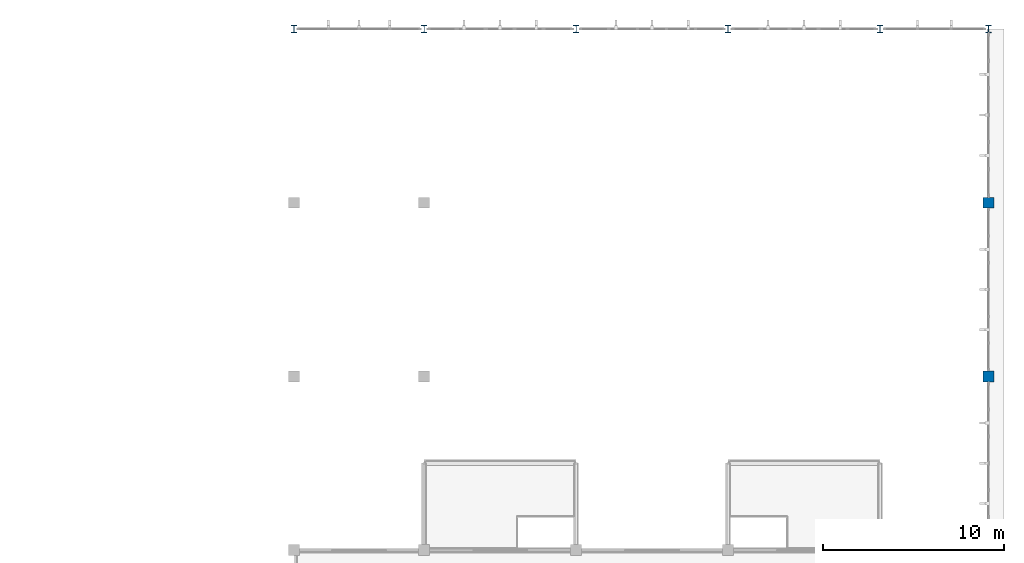
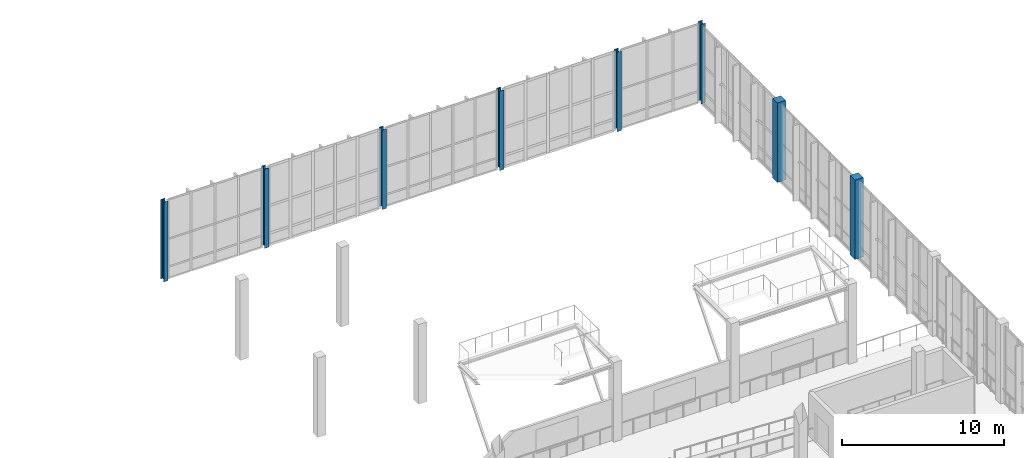
# One storey, part 9 of 105: 8 columns.
"""IFC4 building model written with IfcOpenShell, lengths in metres."""

import ifcopenshell
import ifcopenshell.guid

model = None  # the IFC model being written
_history = None  # IfcOwnerHistory: only IFC2X3 demands one
_inside = {}  # id of a spatial element -> (the spatial element, [elements in it])
_under = {}  # id of a project, library or spatial element -> (it, [spatial elements below it])
_declared = {}  # id of a project -> (the project, [libraries it declares])
_typed = {}  # id of a type object -> (the type object, [elements of that type])
_made_of = {}  # id of a material, layer set ... -> (it, [elements and type objects made of it])


def new_model(schema):
    """Start an empty IFC model of exactly this schema.

    Asked for "IFC4X3", IfcOpenShell would pick the latest addendum, in which some entities
    have other attributes; the version numbers below select the first issue.
    IFC2X3 requires an IfcOwnerHistory on every rooted entity: one is made here for all.
    """
    global model, _history
    if schema == "IFC4X3":
        model = ifcopenshell.file(schema_version=(4, 3, 0, 0))
    else:
        model = ifcopenshell.file(schema=schema)
    _inside.clear()
    _under.clear()
    _declared.clear()
    _typed.clear()
    _made_of.clear()
    _history = None
    if model.schema == "IFC2X3":
        org = make("IfcOrganization", Name="unknown")
        user = make(
            "IfcPersonAndOrganization",
            ThePerson=make("IfcPerson", FamilyName="unknown"),
            TheOrganization=org,
        )
        app = make(
            "IfcApplication",
            ApplicationDeveloper=org,
            Version="unknown",
            ApplicationFullName="unknown",
            ApplicationIdentifier="unknown",
        )
        _history = make(
            "IfcOwnerHistory",
            OwningUser=user,
            OwningApplication=app,
            ChangeAction="ADDED",
            CreationDate=0,
        )
    return model


def make(cls, **values):
    """One entity of the class cls with the attributes given. An attribute that is None is left unset."""
    return model.create_entity(
        cls, **{name: value for name, value in values.items() if value is not None}
    )


def rooted(cls, **values):
    """An entity with a GlobalId (a new one), such as an element, a storey or a relation."""
    return make(cls, GlobalId=ifcopenshell.guid.new(), OwnerHistory=_history, **values)


def si_unit(unit_type, name, prefix=None):
    """IfcSIUnit, for example si_unit("LENGTHUNIT", "METRE", prefix="MILLI")."""
    return make("IfcSIUnit", UnitType=unit_type, Prefix=prefix, Name=name)


def assignment(units):
    """IfcUnitAssignment: the units of a project."""
    return None if units is None else make("IfcUnitAssignment", Units=units)


def point(xyz):
    """IfcCartesianPoint."""
    return None if xyz is None else make("IfcCartesianPoint", Coordinates=xyz)


def direction(xyz):
    """IfcDirection."""
    return None if xyz is None else make("IfcDirection", DirectionRatios=xyz)


def frame(location, z_axis=None, x_axis=None):
    """IfcAxis2Placement3D, a coordinate frame: its origin and axes. An axis left out is left unset."""
    return make(
        "IfcAxis2Placement3D",
        Location=point(location),
        Axis=direction(z_axis),
        RefDirection=direction(x_axis),
    )


def frame_2d(location, x_axis=None):
    """IfcAxis2Placement2D, a coordinate frame in the plane: its origin and x axis."""
    return make(
        "IfcAxis2Placement2D", Location=point(location), RefDirection=direction(x_axis)
    )


def origin():
    """The frame at (0, 0, 0) with its axes left unset."""
    return frame((0.0, 0.0, 0.0))


def origin_2d():
    """The frame at (0, 0) in the plane with its x axis left unset."""
    return frame_2d((0.0, 0.0))


def place(relative_to, where):
    """IfcLocalPlacement: puts the frame where relative to a parent placement (None: the world)."""
    return make(
        "IfcLocalPlacement", PlacementRelTo=relative_to, RelativePlacement=where
    )


def context(
    kind, dimensions, precision=None, world=None, true_north=None, identifier=None
):
    """IfcGeometricRepresentationContext, for example the 3D "Model" context."""
    return make(
        "IfcGeometricRepresentationContext",
        ContextIdentifier=identifier,
        ContextType=kind,
        CoordinateSpaceDimension=dimensions,
        Precision=precision,
        WorldCoordinateSystem=world,
        TrueNorth=true_north,
    )


def subcontext(parent, identifier, kind, view, scale=None):
    """IfcGeometricRepresentationSubContext, for example "Body" below "Model"."""
    return make(
        "IfcGeometricRepresentationSubContext",
        ContextIdentifier=identifier,
        ContextType=kind,
        ParentContext=parent,
        TargetScale=scale,
        TargetView=view,
    )


def project(units=None, contexts=None):
    """IfcProject with its units and contexts."""
    return rooted(
        "IfcProject",
        Name="project",
        RepresentationContexts=contexts,
        UnitsInContext=assignment(units),
    )


def spatial(cls, under=None, at=None, **own):
    """A site, building, storey or space (cls), placed at a placement, below another one or the project."""
    s = rooted(cls, ObjectPlacement=at, **own)
    if under is not None:
        _under.setdefault(under.id(), (under, []))[1].append(s)
    return s


def profile(cls, at=None, kind="AREA", **sizes):
    """A parametric profile (cls). Its sizes go by their IFC names, for example OverallWidth=200.0."""
    return make(cls, ProfileType=kind, Position=at, **sizes)


def rectangle(**sizes):
    """IfcRectangleProfileDef."""
    return profile("IfcRectangleProfileDef", **sizes)


def i_section(**sizes):
    """IfcIShapeProfileDef."""
    return profile("IfcIShapeProfileDef", **sizes)


def extrude(swept, where, along, depth):
    """IfcExtrudedAreaSolid: the profile swept, set in the frame where, extruded along a direction by depth."""
    return make(
        "IfcExtrudedAreaSolid",
        SweptArea=swept,
        Position=where,
        ExtrudedDirection=direction(along),
        Depth=depth,
    )


def shape(context_of_items, identifier, shape_type, items):
    """IfcShapeRepresentation: the items that make up one representation, for example the "Body"."""
    return make(
        "IfcShapeRepresentation",
        ContextOfItems=context_of_items,
        RepresentationIdentifier=identifier,
        RepresentationType=shape_type,
        Items=items,
    )


def material(Name=None, Category=None):
    """IfcMaterial."""
    return make("IfcMaterial", Name=Name, Category=Category)


def material_profile(
    of_material, cross_section, Name=None, Category=None, Priority=None
):
    """IfcMaterialProfile: a cross section and its material."""
    return make(
        "IfcMaterialProfile",
        Name=Name,
        Material=of_material,
        Profile=cross_section,
        Priority=Priority,
        Category=Category,
    )


def profile_set(profiles, Name=None, composite=None):
    """IfcMaterialProfileSet."""
    return make(
        "IfcMaterialProfileSet",
        Name=Name,
        MaterialProfiles=profiles,
        CompositeProfile=composite,
    )


def made_of(thing, what):
    """Note that an element or type object is made of a material, layer set ...; save() writes the relation."""
    if what is not None:
        _made_of.setdefault(what.id(), (what, []))[1].append(thing)
    return thing


def type_object(cls, material=None, **own):
    """A type object (cls), such as IfcWallType, which elements share."""
    return made_of(rooted(cls, **own), material)


def element(
    cls,
    number,
    at=None,
    inside=None,
    cuts=None,
    type_object=None,
    material=None,
    context=None,
    identifier="Body",
    shape_type=None,
    held_by="IfcProductDefinitionShape",
    body=None,
    shapes=None,
    **own,
):
    """One element of the class cls, such as IfcWall. Its Tag is "e" and its number.

    at: its placement. inside: the storey or other place that contains it. cuts: it is an
    opening in that element (IfcRelVoidsElement). A single representation is given by context,
    identifier, shape_type and body (its items); several are given by shapes. held_by: the class
    of the entity that holds the representations. save() writes the other relations.
    """
    e = rooted(cls, Tag="e%d" % number, ObjectPlacement=at, **own)
    if body is not None:
        shapes = [shape(context, identifier, shape_type, body)]
    if shapes is not None:
        e.Representation = make(held_by, Representations=shapes)
    if inside is not None:
        _inside.setdefault(inside.id(), (inside, []))[1].append(e)
    if cuts is not None:
        rooted(
            "IfcRelVoidsElement", RelatingBuildingElement=cuts, RelatedOpeningElement=e
        )
    if type_object is not None:
        _typed.setdefault(type_object.id(), (type_object, []))[1].append(e)
    return made_of(e, material)


def aggregate(whole, parts):
    """IfcRelAggregates: a whole, such as a stair, and the parts it consists of."""
    return rooted("IfcRelAggregates", RelatingObject=whole, RelatedObjects=parts)


def save(model, path):
    """Write the relations noted so far, then the file.

    IfcRelAggregates (storeys below a building ...), IfcRelContainedInSpatialStructure (elements
    in a storey), IfcRelDefinesByType, IfcRelAssociatesMaterial and IfcRelDeclares: one each for
    every whole, place, type object, material and project.
    """
    for whole, parts in _under.values():
        aggregate(whole, parts)
    for where, things in _inside.values():
        rooted(
            "IfcRelContainedInSpatialStructure",
            RelatedElements=things,
            RelatingStructure=where,
        )
    for kind, things in _typed.values():
        rooted("IfcRelDefinesByType", RelatedObjects=things, RelatingType=kind)
    for what, things in _made_of.values():
        rooted("IfcRelAssociatesMaterial", RelatedObjects=things, RelatingMaterial=what)
    for by, libraries in _declared.values():
        rooted("IfcRelDeclares", RelatingContext=by, RelatedDefinitions=libraries)
    model.write(path)


model = new_model("IFC4")

# Units and contexts
model_context = context("Model", 3, precision=1e-05, world=origin(), true_north=direction((0.0, 1.0)))
body_context = subcontext(model_context, "Body", "Model", "MODEL_VIEW")
ifc_project = project(units=[si_unit("LENGTHUNIT", "METRE"), si_unit("AREAUNIT", "SQUARE_METRE"), si_unit("VOLUMEUNIT", "CUBIC_METRE"), si_unit("PLANEANGLEUNIT", "RADIAN"), si_unit("MASSUNIT", "GRAM", prefix="KILO")], contexts=[model_context])

# Site, building, storey
site_placement = place(None, origin())
site = spatial("IfcSite", under=ifc_project, at=site_placement, CompositionType="ELEMENT")
building_placement = place(site_placement, origin())
building = spatial("IfcBuilding", under=site, at=building_placement, Name="Tizgana Railside Sports Hall", CompositionType="ELEMENT")
storey_placement = place(building_placement, frame((0.0, 0.0, 6.0)))
storey = spatial("IfcBuildingStorey", under=building, at=storey_placement, Name="L01", CompositionType="ELEMENT", Elevation=6.0)

# Columns
ifc_material_1 = material(Name="Concrete C40/50", Category="concrete")
ifc_material_profile_1 = material_profile(ifc_material_1, rectangle(XDim=0.60009765625, YDim=0.60009765625, at=origin_2d()), Name="RC 600x600")
ifc_profile_set_1 = profile_set([ifc_material_profile_1], Name="Concrete C40/50")
column_type_1 = type_object("IfcColumnType", Name="Concrete Column RC 600x600", PredefinedType="COLUMN", material=ifc_profile_set_1)
for number, where, z_axis, x_axis, name in (
    (1, (172.199951171875, 98.39990234375, 0.0), (0.0, 0.0, 1.0), (1.0, 0.0, 0.0), "L01 COL-0523"),
    (2, (172.199951171875, 108.0, 0.0), (0.0, 0.0, 1.0), (1.0, 0.0, 0.0), "L01 COL-0527"),
):
    element("IfcColumn", number, at=place(storey_placement, frame(where, z_axis=z_axis, x_axis=x_axis)), inside=storey, type_object=column_type_1, Name=name, PredefinedType="COLUMN", context=body_context, shape_type="SweptSolid", body=[
        extrude(rectangle(XDim=0.60009765625, YDim=0.60009765625, at=origin_2d()), origin(), (0.0, 0.0, 1.0), 6.0),
    ])
ifc_material_2 = material(Name="Steel S355J2", Category="steel")
ifc_material_profile_2 = material_profile(ifc_material_2, i_section(OverallWidth=0.300048828125, OverallDepth=0.39990234375, WebThickness=0.013427734375, FlangeThickness=0.02392578125, FilletRadius=0.027099609375, at=origin_2d()), Name="HEB 400")
ifc_profile_set_2 = profile_set([ifc_material_profile_2], Name="Steel S355J2")
column_type_2 = type_object("IfcColumnType", Name="Steel Column HEB 400", PredefinedType="COLUMN", material=ifc_profile_set_2)
for number, where, z_axis, x_axis, name in (
    (3, (133.800048828125, 117.60009765625, 0.0), (0.0, 0.0, 1.0), (1.0, 0.0, 0.0), "L01 COL-0435"),
    (4, (141.0, 117.60009765625, 0.0), (0.0, 0.0, 1.0), (1.0, 0.0, 0.0), "L01 COL-0459"),
    (5, (149.39990234375, 117.60009765625, 0.0), (0.0, 0.0, 1.0), (1.0, 0.0, 0.0), "L01 COL-0475"),
    (6, (157.800048828125, 117.60009765625, 0.0), (0.0, 0.0, 1.0), (1.0, 0.0, 0.0), "L01 COL-0491"),
    (7, (166.199951171875, 117.60009765625, 0.0), (0.0, 0.0, 1.0), (1.0, 0.0, 0.0), "L01 COL-0507"),
    (8, (172.199951171875, 117.60009765625, 0.0), (0.0, 0.0, 1.0), (1.0, 0.0, 0.0), "L01 COL-0531"),
):
    element("IfcColumn", number, at=place(storey_placement, frame(where, z_axis=z_axis, x_axis=x_axis)), inside=storey, type_object=column_type_2, Name=name, PredefinedType="COLUMN", context=body_context, shape_type="SweptSolid", body=[
        extrude(i_section(OverallWidth=0.300048828125, OverallDepth=0.39990234375, WebThickness=0.013427734375, FlangeThickness=0.02392578125, FilletRadius=0.027099609375, at=origin_2d()), origin(), (0.0, 0.0, 1.0), 6.0),
    ])

save(model, "model.ifc")
